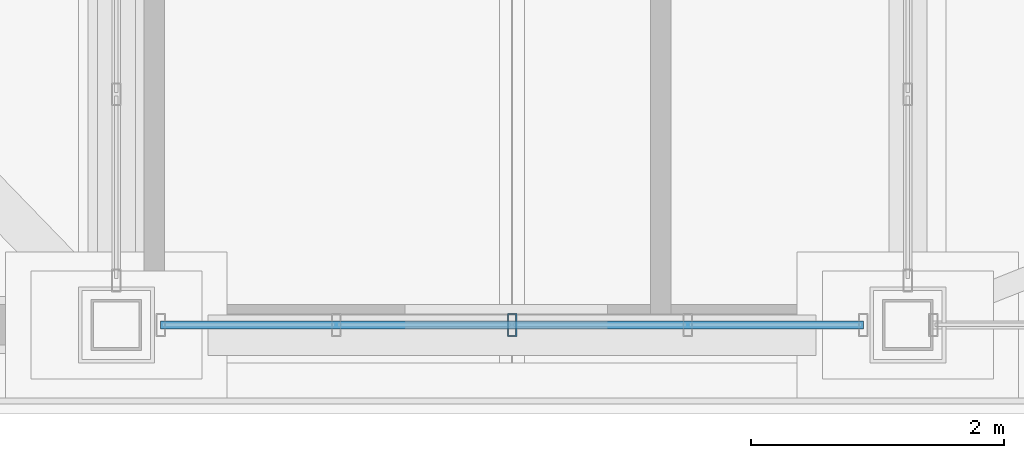
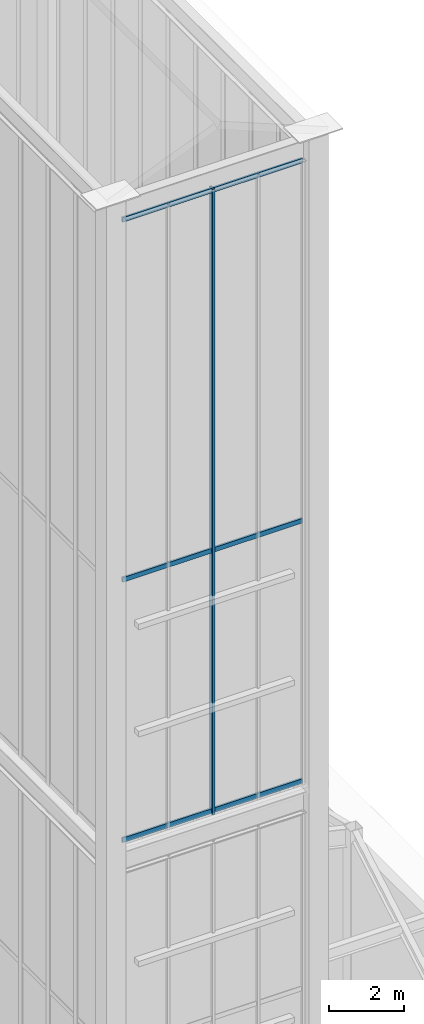
# One storey, part 36 of 135: 4 members, 1 element without a shape of its own.
"""IFC4 building model written with IfcOpenShell, lengths in metres."""

from ifc_helpers import new_model, si_unit, direction, frame, origin, origin_2d, place, context, subcontext, project, spatial, hollow_rectangle, extrude, source, transform, mapped, material, layer, layer_set, material_profile, profile_set, type_object, element, aggregate, save


model = new_model("IFC4")

# Units and contexts
model_context = context("Model", 3, precision=1e-05, world=origin(), true_north=direction((0.0, 1.0)))
body_context = subcontext(model_context, "Body", "Model", "MODEL_VIEW")
ifc_project = project(units=[si_unit("LENGTHUNIT", "METRE"), si_unit("AREAUNIT", "SQUARE_METRE"), si_unit("VOLUMEUNIT", "CUBIC_METRE"), si_unit("PLANEANGLEUNIT", "RADIAN"), si_unit("MASSUNIT", "GRAM", prefix="KILO")], contexts=[model_context])

# Site, building, storey
site_placement = place(None, origin())
site = spatial("IfcSite", under=ifc_project, at=site_placement, CompositionType="ELEMENT")
building_placement = place(site_placement, origin())
building = spatial("IfcBuilding", under=site, at=building_placement, Name="Giltprow Tower", CompositionType="ELEMENT")
storey_placement = place(building_placement, frame((0.0, 0.0, 352.699951171875)))
storey = spatial("IfcBuildingStorey", under=building, at=storey_placement, Name="L92", CompositionType="ELEMENT", Elevation=352.699951171875)

# Curtain wall, members
ifc_material = material(Name="Anodized bronze", Category="metal")
ifc_layer = layer(ifc_material, 0.179931640625, Name="Anodized bronze")
ifc_layer_set = layer_set([ifc_layer], Name="Anodized bronze")
curtain_wall_type = type_object("IfcCurtainWallType", Name="CW-CROWN-LANTERN", PredefinedType="NOTDEFINED", material=ifc_layer_set)
curtain_wall_placement = place(storey_placement, origin())
curtain_wall = element("IfcCurtainWall", 1, at=curtain_wall_placement, inside=storey, type_object=curtain_wall_type, Name="Crown East Upper Lantern Glazing 1", PredefinedType="NOTDEFINED")
ifc_material_profile_1 = material_profile(ifc_material, hollow_rectangle(XDim=0.06494140625, YDim=0.14990234375, WallThickness=0.006103515625, at=origin_2d()), Name="RHS 150x65x6")
ifc_profile_set_1 = profile_set([ifc_material_profile_1], Name="Anodized bronze")
member_type_1 = type_object("IfcMemberType", Name="CW-TRANSOM-150x65", PredefinedType="USERDEFINED", material=ifc_profile_set_1)
shared_shape_1 = source(origin(), body_context, "Body", "SweptSolid", [
    extrude(hollow_rectangle(XDim=0.06494140625, YDim=0.14990234375, WallThickness=0.006103515625, at=origin_2d()), origin(), (0.0, 0.0, 1.0), 5.550048828125),
])
member_1_placement = place(storey_placement, frame((44.64990234375, 23.5, 17.340087890625), z_axis=(1.0, 0.0, 0.0), x_axis=(0.0, 1.0, 0.0)))
member_1 = element("IfcMember", 2, at=member_1_placement, type_object=member_type_1, Name="Crown East Upper Lantern Glazing 1 Transom 1", ObjectType="TRANSOM", PredefinedType="USERDEFINED", context=body_context, shape_type="MappedRepresentation", body=[
    mapped(shared_shape_1, transform((0.0, 0.0, 0.0), x_axis=(1.0, 0.0, 0.0), y_axis=(0.0, 1.0, 0.0), z_axis=(0.0, 0.0, 1.0), scale=1.0)),
])
member_2_placement = place(storey_placement, frame((44.64990234375, 23.5, 25.8330078125), z_axis=(1.0, 0.0, 0.0), x_axis=(0.0, 1.0, 0.0)))
member_2 = element("IfcMember", 3, at=member_2_placement, type_object=member_type_1, Name="Crown East Upper Lantern Glazing 1 Transom 2", ObjectType="TRANSOM", PredefinedType="USERDEFINED", context=body_context, shape_type="MappedRepresentation", body=[
    mapped(shared_shape_1, transform((0.0, 0.0, 0.0), x_axis=(1.0, 0.0, 0.0), y_axis=(0.0, 1.0, 0.0), z_axis=(0.0, 0.0, 1.0), scale=1.0)),
])
member_3_placement = place(storey_placement, frame((44.64990234375, 23.5, 37.575927734375), z_axis=(1.0, 0.0, 0.0), x_axis=(0.0, 1.0, 0.0)))
member_3 = element("IfcMember", 4, at=member_3_placement, type_object=member_type_1, Name="Crown East Upper Lantern Glazing 1 Transom 3", ObjectType="TRANSOM", PredefinedType="USERDEFINED", context=body_context, shape_type="MappedRepresentation", body=[
    mapped(shared_shape_1, transform((0.0, 0.0, 0.0), x_axis=(1.0, 0.0, 0.0), y_axis=(0.0, 1.0, 0.0), z_axis=(0.0, 0.0, 1.0), scale=1.0)),
])
ifc_material_profile_2 = material_profile(ifc_material, hollow_rectangle(XDim=0.074951171875, YDim=0.179931640625, WallThickness=0.008056640625, at=origin_2d()), Name="RHS 180x75x8")
ifc_profile_set_2 = profile_set([ifc_material_profile_2], Name="Anodized bronze")
member_type_2 = type_object("IfcMemberType", Name="CW-MULLION-180x75", PredefinedType="MULLION", material=ifc_profile_set_2)
shared_shape_2 = source(origin(), body_context, "Body", "SweptSolid", [
    extrude(hollow_rectangle(XDim=0.074951171875, YDim=0.179931640625, WallThickness=0.008056640625, at=origin_2d()), origin(), (0.0, 0.0, 1.0), 20.406005859375),
])
member_4_placement = place(storey_placement, frame((47.425048828125, 23.5, 17.25), z_axis=(0.0, 0.0, 1.0), x_axis=(1.0, 0.0, 0.0)))
member_4 = element("IfcMember", 5, at=member_4_placement, type_object=member_type_2, Name="Crown East Upper Lantern Glazing 1 Mullion 3", PredefinedType="MULLION", context=body_context, shape_type="MappedRepresentation", body=[
    mapped(shared_shape_2, transform((0.0, 0.0, 0.0), x_axis=(1.0, 0.0, 0.0), y_axis=(0.0, 1.0, 0.0), z_axis=(0.0, 0.0, 1.0), scale=1.0)),
])
aggregate(curtain_wall, [member_4, member_1, member_2, member_3])

save(model, "model.ifc")
